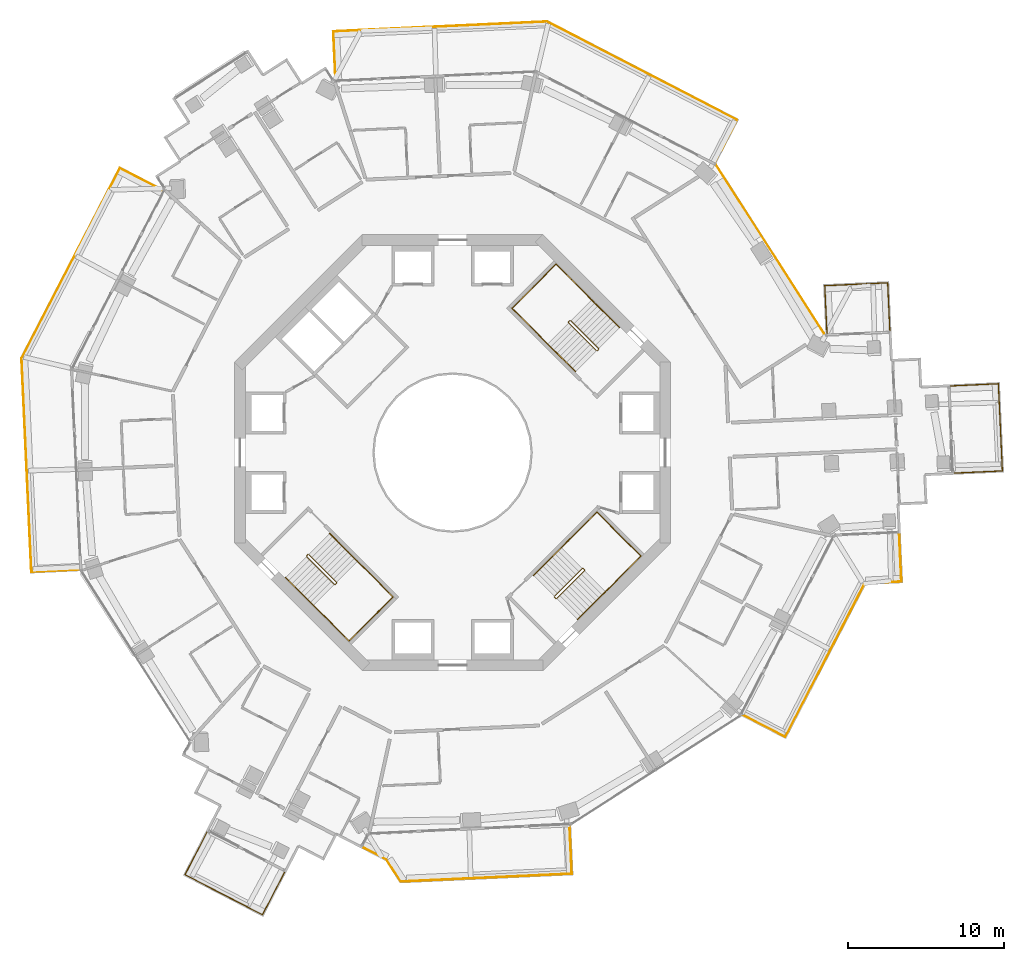
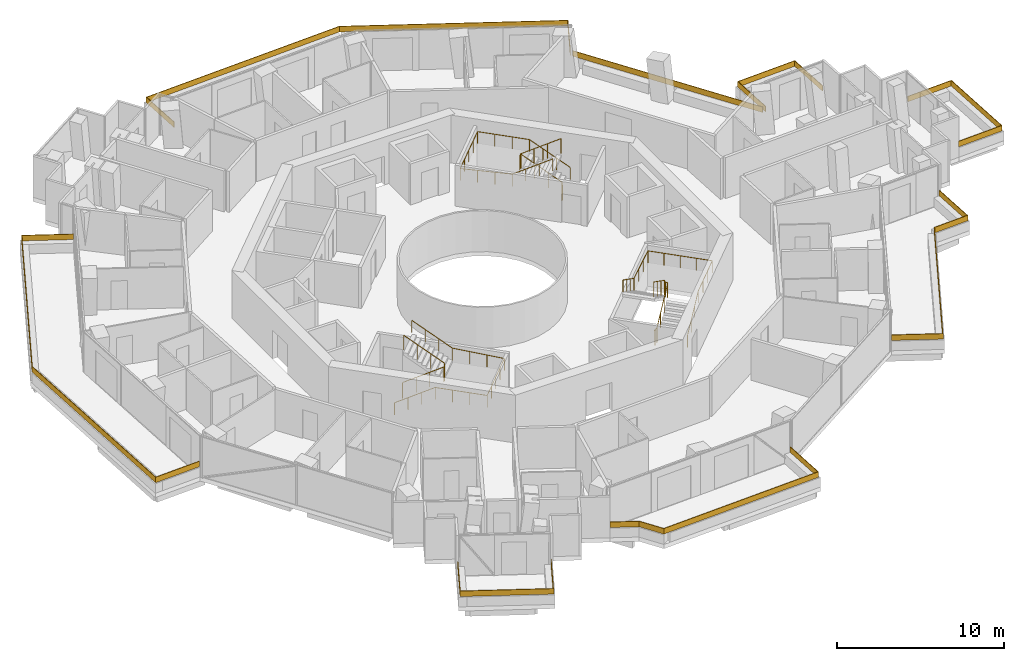
# One storey, part 22 of 22: 14 railings.
"""IFC4 building model written with IfcOpenShell, lengths in metres."""

from ifc_helpers import new_model, si_unit, direction, frame, origin, origin_2d, place, context, subcontext, project, spatial, polyline, rectangle, circle, outline, extrude, material, layer, layer_set, type_object, element, save


model = new_model("IFC4")

# Units and contexts
model_context = context("Model", 3, precision=1e-05, world=origin(), true_north=direction((0.0, 1.0)))
body_context = subcontext(model_context, "Body", "Model", "MODEL_VIEW")
ifc_project = project(units=[si_unit("LENGTHUNIT", "METRE"), si_unit("AREAUNIT", "SQUARE_METRE"), si_unit("VOLUMEUNIT", "CUBIC_METRE"), si_unit("PLANEANGLEUNIT", "RADIAN"), si_unit("MASSUNIT", "GRAM", prefix="KILO")], contexts=[model_context])

# Site, building, storey
site_placement = place(None, origin())
site = spatial("IfcSite", under=ifc_project, at=site_placement, CompositionType="ELEMENT")
building_placement = place(site_placement, origin())
building = spatial("IfcBuilding", under=site, at=building_placement, Name="Verdalira Terraces Hotel", CompositionType="ELEMENT")
storey_placement = place(building_placement, frame((0.0, 0.0, 165.5)))
storey = spatial("IfcBuildingStorey", under=building, at=storey_placement, Name="L40", CompositionType="ELEMENT", Elevation=165.5)

# Railings
ifc_material_1 = material(Name="Laminated glass", Category="glass")
ifc_layer = layer(ifc_material_1, 0.0400390625)
ifc_layer_set = layer_set([ifc_layer], Name="Balcony glass guard 400")
railing_type_1 = type_object("IfcRailingType", Name="Balcony glass guard 400", PredefinedType="GUARDRAIL", material=ifc_layer_set)
railing_1_placement = place(storey_placement, frame((0.0, 0.0, 0.699951)))
element("IfcRailing", 1, at=railing_1_placement, inside=storey, type_object=railing_type_1, Name="Balcony glass guard", PredefinedType="GUARDRAIL", context=body_context, shape_type="SweptSolid", body=[
    extrude(outline(polyline([(-21.348145, 18.230469), (-27.646729, 6.05835), (-27.015381, -7.632324), (-23.939697, -7.490723), (-23.937988, -7.530518), (-27.053467, -7.674316), (-27.687256, 6.067139), (-21.365234, 18.284424), (-18.594971, 16.85083), (-18.613525, 16.81543), (-21.348145, 18.230469)])), origin(), (0.0, 0.0, 1.0), 0.400146),
])
railing_2_placement = place(storey_placement, frame((0.0, 0.0, 0.699951)))
element("IfcRailing", 2, at=railing_2_placement, inside=storey, type_object=railing_type_1, Name="Balcony glass guard", PredefinedType="GUARDRAIL", context=body_context, shape_type="SweptSolid", body=[
    extrude(outline(polyline([(-17.147217, -27.087891), (-12.209229, -29.643311), (-10.794189, -26.908691), (-10.758545, -26.927002), (-12.192139, -29.697021), (-17.201172, -27.105225), (-15.767822, -24.334961), (-15.732178, -24.353271), (-17.147217, -27.087891)])), origin(), (0.0, 0.0, 1.0), 0.400146),
])
railing_3_placement = place(storey_placement, frame((0.0, 0.0, 0.699951)))
element("IfcRailing", 3, at=railing_3_placement, inside=storey, type_object=railing_type_1, Name="Balcony glass guard", PredefinedType="GUARDRAIL", context=body_context, shape_type="SweptSolid", body=[
    extrude(outline(polyline([(-4.213379, -26.124268), (-3.319092, -27.520508), (7.632324, -27.015381), (7.490723, -23.939697), (7.530518, -23.937988), (7.674316, -27.053467), (-3.340332, -27.561523), (-4.241211, -26.155029), (-5.797607, -25.349609), (-5.779297, -25.313965), (-4.213379, -26.124268)])), origin(), (0.0, 0.0, 1.0), 0.400146),
])
railing_4_placement = place(storey_placement, frame((0.0, 0.0, 0.699951)))
element("IfcRailing", 4, at=railing_4_placement, inside=storey, type_object=railing_type_1, Name="Balcony glass guard", PredefinedType="GUARDRAIL", context=body_context, shape_type="SweptSolid", body=[
    extrude(outline(polyline([(21.348145, -18.230469), (26.450195, -8.370605), (28.789795, -8.262695), (28.647949, -5.187012), (28.687988, -5.185059), (28.831787, -8.300781), (26.475098, -8.409424), (21.365234, -18.284424), (18.594971, -16.85083), (18.613525, -16.81543), (21.348145, -18.230469)])), origin(), (0.0, 0.0, 1.0), 0.400146),
])
railing_5_placement = place(storey_placement, frame((0.0, 0.0, 0.699951)))
element("IfcRailing", 5, at=railing_5_placement, inside=storey, type_object=railing_type_1, Name="Balcony glass guard", PredefinedType="GUARDRAIL", context=body_context, shape_type="SweptSolid", body=[
    extrude(outline(polyline([(35.269531, -1.156738), (35.013428, 4.397461), (31.937744, 4.255615), (31.935791, 4.295654), (35.051514, 4.439209), (35.311279, -1.194824), (32.195557, -1.338379), (32.193848, -1.298584), (35.269531, -1.156738)])), origin(), (0.0, 0.0, 1.0), 0.400146),
])
railing_6_placement = place(storey_placement, frame((0.0, 0.0, 0.699951)))
element("IfcRailing", 6, at=railing_6_placement, inside=storey, type_object=railing_type_1, Name="Balcony glass guard", PredefinedType="GUARDRAIL", context=body_context, shape_type="SweptSolid", body=[
    extrude(outline(polyline([(27.907471, 10.876953), (23.911133, 10.692627), (24.052979, 7.616943), (24.012939, 7.615234), (23.869385, 10.730713), (27.945557, 10.918701), (28.089111, 7.802979), (28.049072, 7.80127), (27.907471, 10.876953)])), origin(), (0.0, 0.0, 1.0), 0.400146),
])
railing_7_placement = place(storey_placement, frame((0.0, 0.0, 0.699951)))
element("IfcRailing", 7, at=railing_7_placement, inside=storey, type_object=railing_type_1, Name="Balcony glass guard", PredefinedType="GUARDRAIL", context=body_context, shape_type="SweptSolid", body=[
    extrude(outline(polyline([(18.230469, 21.348145), (6.05835, 27.646729), (-7.632324, 27.015381), (-7.490723, 23.939697), (-7.530518, 23.937988), (-7.674316, 27.053467), (6.067139, 27.687256), (18.284424, 21.365234), (16.85083, 18.594971), (16.81543, 18.613525), (18.230469, 21.348145)])), origin(), (0.0, 0.0, 1.0), 0.400146),
])
railing_8_placement = place(storey_placement, frame((20.385254, 13.056885, 0.699951), z_axis=(0.0, 0.0, 1.0), x_axis=(-0.539358796, 0.842076059, 0.0)))
element("IfcRailing", 8, at=railing_8_placement, inside=storey, type_object=railing_type_1, Name="Loggia glass guard", PredefinedType="GUARDRAIL", context=body_context, shape_type="SweptSolid", body=[
    extrude(rectangle(XDim=12.840088, YDim=0.040039, at=origin_2d()), origin(), (0.0, 0.0, 1.0), 0.399902),
])
ifc_material_2 = material(Name="Stainless steel", Category="steel")
railing_type_2 = type_object("IfcRailingType", Name="Stair guard 1100", PredefinedType="GUARDRAIL", material=ifc_material_2)
railing_9_placement = place(storey_placement, frame((9.369141, 6.611328, 0.0)))
element("IfcRailing", 9, at=railing_9_placement, inside=storey, type_object=railing_type_2, Name="L40 ST1 stair guard 1", PredefinedType="GUARDRAIL", context=body_context, shape_type="SweptSolid", body=[
    extrude(circle(Radius=0.023926, at=origin_2d()), frame((0.0, 0.0, 1.076172), z_axis=(-0.70832698, -0.705884473, 0.0), x_axis=(0.705884473, -0.70832698, 0.0)), (0.0, 0.0, 1.0), 0.099854),
    extrude(circle(Radius=0.023926, at=origin_2d()), frame((-0.070801, -0.070557, 1.076172), z_axis=(0.300162975, 0.599290904, 0.742127078), x_axis=(-0.894118129, 0.447831187, 0.0)), (0.0, 0.0, 1.0), 0.23584),
    extrude(circle(Radius=0.023926, at=origin_2d()), frame((0.0, 0.070801, 1.250977), z_axis=(-0.599637504, 0.599637504, 0.52997144), x_axis=(-0.707106781, -0.707106781, 0.0)), (0.0, 0.0, 1.0), 2.97168),
    extrude(circle(Radius=0.023926, at=origin_2d()), frame((-1.781982, 1.852783, 2.826172), z_axis=(-1.0, 0.0, 0.0), x_axis=(0.0, -1.0, 0.0)), (0.0, 0.0, 1.0), 0.070557),
    extrude(circle(Radius=0.023926, at=origin_2d()), frame((-1.852539, 1.852783, 2.826172), z_axis=(-0.707106781, -0.707106781, 0.0), x_axis=(0.707106781, -0.707106781, 0.0)), (0.0, 0.0, 1.0), 0.100098),
    extrude(circle(Radius=0.023926, at=origin_2d()), frame((-1.92334, 1.781982, 2.826172), z_axis=(0.0, -0.373842709, 0.927492118), x_axis=(1.0, 0.0, 0.0)), (0.0, 0.0, 1.0), 0.188721),
    extrude(circle(Radius=0.023926, at=origin_2d()), frame((-1.92334, 1.711426, 3.000977), z_axis=(0.599637504, -0.599637504, 0.52997144), x_axis=(0.707106781, 0.707106781, 0.0)), (0.0, 0.0, 1.0), 2.97168),
    extrude(circle(Radius=0.020996, at=origin_2d()), origin(), (0.0, 0.0, 1.0), 1.052002),
    extrude(circle(Radius=0.020996, at=origin_2d()), frame((-0.070801, -0.070557, 0.0)), (0.0, 0.0, 1.0), 1.052002),
    extrude(circle(Radius=0.020996, at=origin_2d()), frame((0.0, 0.070801, 0.175049)), (0.0, 0.0, 1.0), 1.052002),
    extrude(circle(Radius=0.020996, at=origin_2d()), frame((-0.593994, 0.664795, 0.699951)), (0.0, 0.0, 1.0), 1.052002),
    extrude(circle(Radius=0.020996, at=origin_2d()), frame((-1.187988, 1.258789, 1.225098)), (0.0, 0.0, 1.0), 1.052002),
    extrude(circle(Radius=0.020996, at=origin_2d()), frame((-1.781982, 1.852783, 1.75)), (0.0, 0.0, 1.0), 1.052002),
    extrude(circle(Radius=0.020996, at=origin_2d()), frame((-1.852539, 1.852783, 1.75)), (0.0, 0.0, 1.0), 1.052002),
    extrude(circle(Radius=0.020996, at=origin_2d()), frame((-1.92334, 1.781982, 1.75)), (0.0, 0.0, 1.0), 1.052002),
    extrude(circle(Radius=0.020996, at=origin_2d()), frame((-1.92334, 1.711426, 1.925049)), (0.0, 0.0, 1.0), 1.052002),
    extrude(circle(Radius=0.020996, at=origin_2d()), frame((-1.329346, 1.117432, 2.449951)), (0.0, 0.0, 1.0), 1.052002),
    extrude(circle(Radius=0.020996, at=origin_2d()), frame((-0.735352, 0.523438, 2.975098)), (0.0, 0.0, 1.0), 1.052002),
    extrude(circle(Radius=0.020996, at=origin_2d()), frame((-0.141357, -0.070557, 3.5)), (0.0, 0.0, 1.0), 1.052002),
])
railing_10_placement = place(storey_placement, frame((-9.369141, -6.611328, 0.0)))
element("IfcRailing", 10, at=railing_10_placement, inside=storey, type_object=railing_type_2, Name="L40 ST2 stair guard 1", PredefinedType="GUARDRAIL", context=body_context, shape_type="SweptSolid", body=[
    extrude(circle(Radius=0.023926, at=origin_2d()), frame((0.0, 0.0, 1.076172), z_axis=(0.70832698, 0.705884473, 0.0), x_axis=(-0.705884473, 0.70832698, 0.0)), (0.0, 0.0, 1.0), 0.099854),
    extrude(circle(Radius=0.023926, at=origin_2d()), frame((0.070801, 0.070557, 1.076172), z_axis=(-0.300162975, -0.599290904, 0.742127078), x_axis=(0.894118129, -0.447831187, 0.0)), (0.0, 0.0, 1.0), 0.23584),
    extrude(circle(Radius=0.023926, at=origin_2d()), frame((0.0, -0.070801, 1.250977), z_axis=(0.599637504, -0.599637504, 0.52997144), x_axis=(0.707106781, 0.707106781, 0.0)), (0.0, 0.0, 1.0), 2.97168),
    extrude(circle(Radius=0.023926, at=origin_2d()), frame((1.781982, -1.852783, 2.826172), z_axis=(1.0, 0.0, 0.0), x_axis=(0.0, 1.0, 0.0)), (0.0, 0.0, 1.0), 0.070557),
    extrude(circle(Radius=0.023926, at=origin_2d()), frame((1.852539, -1.852783, 2.826172), z_axis=(0.707106781, 0.707106781, 0.0), x_axis=(-0.707106781, 0.707106781, 0.0)), (0.0, 0.0, 1.0), 0.100098),
    extrude(circle(Radius=0.023926, at=origin_2d()), frame((1.92334, -1.781982, 2.826172), z_axis=(0.0, 0.373842709, 0.927492118), x_axis=(-1.0, 0.0, 0.0)), (0.0, 0.0, 1.0), 0.188721),
    extrude(circle(Radius=0.023926, at=origin_2d()), frame((1.92334, -1.711426, 3.000977), z_axis=(-0.599637504, 0.599637504, 0.52997144), x_axis=(-0.707106781, -0.707106781, 0.0)), (0.0, 0.0, 1.0), 2.97168),
    extrude(circle(Radius=0.020996, at=origin_2d()), origin(), (0.0, 0.0, 1.0), 1.052002),
    extrude(circle(Radius=0.020996, at=origin_2d()), frame((0.070801, 0.070557, 0.0)), (0.0, 0.0, 1.0), 1.052002),
    extrude(circle(Radius=0.020996, at=origin_2d()), frame((0.0, -0.070801, 0.175049)), (0.0, 0.0, 1.0), 1.052002),
    extrude(circle(Radius=0.020996, at=origin_2d()), frame((0.593994, -0.664795, 0.699951)), (0.0, 0.0, 1.0), 1.052002),
    extrude(circle(Radius=0.020996, at=origin_2d()), frame((1.187988, -1.258789, 1.225098)), (0.0, 0.0, 1.0), 1.052002),
    extrude(circle(Radius=0.020996, at=origin_2d()), frame((1.781982, -1.852783, 1.75)), (0.0, 0.0, 1.0), 1.052002),
    extrude(circle(Radius=0.020996, at=origin_2d()), frame((1.852539, -1.852783, 1.75)), (0.0, 0.0, 1.0), 1.052002),
    extrude(circle(Radius=0.020996, at=origin_2d()), frame((1.92334, -1.781982, 1.75)), (0.0, 0.0, 1.0), 1.052002),
    extrude(circle(Radius=0.020996, at=origin_2d()), frame((1.92334, -1.711426, 1.925049)), (0.0, 0.0, 1.0), 1.052002),
    extrude(circle(Radius=0.020996, at=origin_2d()), frame((1.329346, -1.117432, 2.449951)), (0.0, 0.0, 1.0), 1.052002),
    extrude(circle(Radius=0.020996, at=origin_2d()), frame((0.735352, -0.523438, 2.975098)), (0.0, 0.0, 1.0), 1.052002),
    extrude(circle(Radius=0.020996, at=origin_2d()), frame((0.141357, 0.070557, 3.5)), (0.0, 0.0, 1.0), 1.052002),
])
railing_11_placement = place(storey_placement, frame((6.611328, -9.369141, 0.0)))
element("IfcRailing", 11, at=railing_11_placement, inside=storey, type_object=railing_type_2, Name="L40 ST3 stair guard 1", PredefinedType="GUARDRAIL", context=body_context, shape_type="SweptSolid", body=[
    extrude(circle(Radius=0.023926, at=origin_2d()), frame((0.0, 0.0, 1.076172), z_axis=(-0.705884473, 0.70832698, 0.0), x_axis=(-0.70832698, -0.705884473, 0.0)), (0.0, 0.0, 1.0), 0.099854),
    extrude(circle(Radius=0.023926, at=origin_2d()), frame((-0.070557, 0.070801, 1.076172), z_axis=(0.599290904, -0.300162975, 0.742127078), x_axis=(0.447831187, 0.894118129, 0.0)), (0.0, 0.0, 1.0), 0.23584),
    extrude(circle(Radius=0.023926, at=origin_2d()), frame((0.070801, 0.0, 1.250977), z_axis=(0.599637504, 0.599637504, 0.52997144), x_axis=(-0.707106781, 0.707106781, 0.0)), (0.0, 0.0, 1.0), 2.97168),
    extrude(circle(Radius=0.023926, at=origin_2d()), frame((1.852783, 1.781982, 2.826172), z_axis=(0.0, 1.0, 0.0), x_axis=(-1.0, 0.0, 0.0)), (0.0, 0.0, 1.0), 0.070557),
    extrude(circle(Radius=0.023926, at=origin_2d()), frame((1.852783, 1.852539, 2.826172), z_axis=(-0.707106781, 0.707106781, 0.0), x_axis=(-0.707106781, -0.707106781, 0.0)), (0.0, 0.0, 1.0), 0.100098),
    extrude(circle(Radius=0.023926, at=origin_2d()), frame((1.781982, 1.92334, 2.826172), z_axis=(-0.373842709, 0.0, 0.927492118), x_axis=(0.0, -1.0, 0.0)), (0.0, 0.0, 1.0), 0.188721),
    extrude(circle(Radius=0.023926, at=origin_2d()), frame((1.711426, 1.92334, 3.000977), z_axis=(-0.599637504, -0.599637504, 0.52997144), x_axis=(0.707106781, -0.707106781, 0.0)), (0.0, 0.0, 1.0), 2.97168),
    extrude(circle(Radius=0.020996, at=origin_2d()), origin(), (0.0, 0.0, 1.0), 1.052002),
    extrude(circle(Radius=0.020996, at=origin_2d()), frame((-0.070557, 0.070801, 0.0)), (0.0, 0.0, 1.0), 1.052002),
    extrude(circle(Radius=0.020996, at=origin_2d()), frame((0.070801, 0.0, 0.175049)), (0.0, 0.0, 1.0), 1.052002),
    extrude(circle(Radius=0.020996, at=origin_2d()), frame((0.664795, 0.593994, 0.699951)), (0.0, 0.0, 1.0), 1.052002),
    extrude(circle(Radius=0.020996, at=origin_2d()), frame((1.258789, 1.187988, 1.225098)), (0.0, 0.0, 1.0), 1.052002),
    extrude(circle(Radius=0.020996, at=origin_2d()), frame((1.852783, 1.781982, 1.75)), (0.0, 0.0, 1.0), 1.052002),
    extrude(circle(Radius=0.020996, at=origin_2d()), frame((1.852783, 1.852539, 1.75)), (0.0, 0.0, 1.0), 1.052002),
    extrude(circle(Radius=0.020996, at=origin_2d()), frame((1.781982, 1.92334, 1.75)), (0.0, 0.0, 1.0), 1.052002),
    extrude(circle(Radius=0.020996, at=origin_2d()), frame((1.711426, 1.92334, 1.925049)), (0.0, 0.0, 1.0), 1.052002),
    extrude(circle(Radius=0.020996, at=origin_2d()), frame((1.117432, 1.329346, 2.449951)), (0.0, 0.0, 1.0), 1.052002),
    extrude(circle(Radius=0.020996, at=origin_2d()), frame((0.523438, 0.735352, 2.975098)), (0.0, 0.0, 1.0), 1.052002),
    extrude(circle(Radius=0.020996, at=origin_2d()), frame((-0.070557, 0.141357, 3.5)), (0.0, 0.0, 1.0), 1.052002),
])
ifc_material_3 = material(Name="Stainless steel", Category="steel")
railing_type_3 = type_object("IfcRailingType", Name="Stair handrail 900", PredefinedType="HANDRAIL", material=ifc_material_3)
railing_12_placement = place(storey_placement, frame((10.712646, 8.025635, 0.175049)))
element("IfcRailing", 12, at=railing_12_placement, inside=storey, type_object=railing_type_3, Name="L40 ST1 stair handrail 1", PredefinedType="HANDRAIL", context=body_context, shape_type="SweptSolid", body=[
    extrude(circle(Radius=0.023926, at=origin_2d()), frame((0.0, 0.0, 0.875977), z_axis=(-0.599637504, 0.599637504, 0.52997144), x_axis=(-0.707106781, -0.707106781, 0.0)), (0.0, 0.0, 1.0), 2.97168),
    extrude(circle(Radius=0.023926, at=origin_2d()), frame((-1.781982, 1.781982, 2.450684), z_axis=(-0.707106781, 0.707106781, 0.0), x_axis=(-0.707106781, -0.707106781, 0.0)), (0.0, 0.0, 1.0), 3.22998),
    extrude(circle(Radius=0.023926, at=origin_2d()), frame((-4.065918, 4.065918, 2.450684), z_axis=(-0.707106781, -0.707106781, 0.0), x_axis=(0.707106781, -0.707106781, 0.0)), (0.0, 0.0, 1.0), 4.0),
    extrude(circle(Radius=0.023926, at=origin_2d()), frame((-6.894287, 1.237549, 2.450684), z_axis=(0.706070637, -0.706070637, 0.054115729), x_axis=(0.707106781, 0.707106781, 0.0)), (0.0, 0.0, 1.0), 3.234619),
    extrude(circle(Radius=0.023926, at=origin_2d()), frame((-4.610352, -1.046387, 2.625977), z_axis=(0.599637504, -0.599637504, 0.52997144), x_axis=(0.707106781, 0.707106781, 0.0)), (0.0, 0.0, 1.0), 2.97168),
    extrude(circle(Radius=0.020996, at=origin_2d()), origin(), (0.0, 0.0, 1.0), 0.851807),
    extrude(circle(Radius=0.020996, at=origin_2d()), frame((-0.593994, 0.593994, 0.524902)), (0.0, 0.0, 1.0), 0.851807),
    extrude(circle(Radius=0.020996, at=origin_2d()), frame((-1.187988, 1.187988, 1.050049)), (0.0, 0.0, 1.0), 0.851807),
    extrude(circle(Radius=0.020996, at=origin_2d()), frame((-1.781982, 1.781982, 1.574951)), (0.0, 0.0, 1.0), 0.851807),
    extrude(circle(Radius=0.020996, at=origin_2d()), frame((-2.543213, 2.543213, 1.574951)), (0.0, 0.0, 1.0), 0.851807),
    extrude(circle(Radius=0.020996, at=origin_2d()), frame((-3.304688, 3.304688, 1.574951)), (0.0, 0.0, 1.0), 0.851807),
    extrude(circle(Radius=0.020996, at=origin_2d()), frame((-4.065918, 4.065918, 1.574951)), (0.0, 0.0, 1.0), 0.851807),
    extrude(circle(Radius=0.020996, at=origin_2d()), frame((-4.772949, 3.358887, 1.574951)), (0.0, 0.0, 1.0), 0.851807),
    extrude(circle(Radius=0.020996, at=origin_2d()), frame((-5.47998, 2.651855, 1.574951)), (0.0, 0.0, 1.0), 0.851807),
    extrude(circle(Radius=0.020996, at=origin_2d()), frame((-6.187256, 1.94458, 1.574951)), (0.0, 0.0, 1.0), 0.851807),
    extrude(circle(Radius=0.020996, at=origin_2d()), frame((-6.894287, 1.237549, 1.574951)), (0.0, 0.0, 1.0), 0.851807),
    extrude(circle(Radius=0.020996, at=origin_2d()), frame((-6.133057, 0.476318, 1.633301)), (0.0, 0.0, 1.0), 0.851807),
    extrude(circle(Radius=0.020996, at=origin_2d()), frame((-5.371582, -0.285156, 1.69165)), (0.0, 0.0, 1.0), 0.851807),
    extrude(circle(Radius=0.020996, at=origin_2d()), frame((-4.610352, -1.046387, 1.75)), (0.0, 0.0, 1.0), 0.851807),
    extrude(circle(Radius=0.020996, at=origin_2d()), frame((-4.016357, -1.640381, 2.274902)), (0.0, 0.0, 1.0), 0.851807),
    extrude(circle(Radius=0.020996, at=origin_2d()), frame((-3.422363, -2.234375, 2.800049)), (0.0, 0.0, 1.0), 0.851807),
    extrude(circle(Radius=0.020996, at=origin_2d()), frame((-2.828369, -2.828369, 3.324951)), (0.0, 0.0, 1.0), 0.851807),
])
railing_13_placement = place(storey_placement, frame((-10.712646, -8.025635, 0.175049)))
element("IfcRailing", 13, at=railing_13_placement, inside=storey, type_object=railing_type_3, Name="L40 ST2 stair handrail 1", PredefinedType="HANDRAIL", context=body_context, shape_type="SweptSolid", body=[
    extrude(circle(Radius=0.023926, at=origin_2d()), frame((0.0, 0.0, 0.875977), z_axis=(0.599637504, -0.599637504, 0.52997144), x_axis=(0.707106781, 0.707106781, 0.0)), (0.0, 0.0, 1.0), 2.97168),
    extrude(circle(Radius=0.023926, at=origin_2d()), frame((1.781982, -1.781982, 2.450684), z_axis=(0.707106781, -0.707106781, 0.0), x_axis=(0.707106781, 0.707106781, 0.0)), (0.0, 0.0, 1.0), 3.22998),
    extrude(circle(Radius=0.023926, at=origin_2d()), frame((4.065918, -4.065918, 2.450684), z_axis=(0.707106781, 0.707106781, 0.0), x_axis=(-0.707106781, 0.707106781, 0.0)), (0.0, 0.0, 1.0), 4.0),
    extrude(circle(Radius=0.023926, at=origin_2d()), frame((6.894287, -1.237549, 2.450684), z_axis=(-0.706070637, 0.706070637, 0.054115729), x_axis=(-0.707106781, -0.707106781, 0.0)), (0.0, 0.0, 1.0), 3.234619),
    extrude(circle(Radius=0.023926, at=origin_2d()), frame((4.610352, 1.046387, 2.625977), z_axis=(-0.599637504, 0.599637504, 0.52997144), x_axis=(-0.707106781, -0.707106781, 0.0)), (0.0, 0.0, 1.0), 2.97168),
    extrude(circle(Radius=0.020996, at=origin_2d()), origin(), (0.0, 0.0, 1.0), 0.851807),
    extrude(circle(Radius=0.020996, at=origin_2d()), frame((0.593994, -0.593994, 0.524902)), (0.0, 0.0, 1.0), 0.851807),
    extrude(circle(Radius=0.020996, at=origin_2d()), frame((1.187988, -1.187988, 1.050049)), (0.0, 0.0, 1.0), 0.851807),
    extrude(circle(Radius=0.020996, at=origin_2d()), frame((1.781982, -1.781982, 1.574951)), (0.0, 0.0, 1.0), 0.851807),
    extrude(circle(Radius=0.020996, at=origin_2d()), frame((2.543213, -2.543213, 1.574951)), (0.0, 0.0, 1.0), 0.851807),
    extrude(circle(Radius=0.020996, at=origin_2d()), frame((3.304688, -3.304688, 1.574951)), (0.0, 0.0, 1.0), 0.851807),
    extrude(circle(Radius=0.020996, at=origin_2d()), frame((4.065918, -4.065918, 1.574951)), (0.0, 0.0, 1.0), 0.851807),
    extrude(circle(Radius=0.020996, at=origin_2d()), frame((4.772949, -3.358887, 1.574951)), (0.0, 0.0, 1.0), 0.851807),
    extrude(circle(Radius=0.020996, at=origin_2d()), frame((5.47998, -2.651855, 1.574951)), (0.0, 0.0, 1.0), 0.851807),
    extrude(circle(Radius=0.020996, at=origin_2d()), frame((6.187256, -1.94458, 1.574951)), (0.0, 0.0, 1.0), 0.851807),
    extrude(circle(Radius=0.020996, at=origin_2d()), frame((6.894287, -1.237549, 1.574951)), (0.0, 0.0, 1.0), 0.851807),
    extrude(circle(Radius=0.020996, at=origin_2d()), frame((6.133057, -0.476318, 1.633301)), (0.0, 0.0, 1.0), 0.851807),
    extrude(circle(Radius=0.020996, at=origin_2d()), frame((5.371582, 0.285156, 1.69165)), (0.0, 0.0, 1.0), 0.851807),
    extrude(circle(Radius=0.020996, at=origin_2d()), frame((4.610352, 1.046387, 1.75)), (0.0, 0.0, 1.0), 0.851807),
    extrude(circle(Radius=0.020996, at=origin_2d()), frame((4.016357, 1.640381, 2.274902)), (0.0, 0.0, 1.0), 0.851807),
    extrude(circle(Radius=0.020996, at=origin_2d()), frame((3.422363, 2.234375, 2.800049)), (0.0, 0.0, 1.0), 0.851807),
    extrude(circle(Radius=0.020996, at=origin_2d()), frame((2.828369, 2.828369, 3.324951)), (0.0, 0.0, 1.0), 0.851807),
])
railing_14_placement = place(storey_placement, frame((8.025635, -10.712646, 0.175049)))
element("IfcRailing", 14, at=railing_14_placement, inside=storey, type_object=railing_type_3, Name="L40 ST3 stair handrail 1", PredefinedType="HANDRAIL", context=body_context, shape_type="SweptSolid", body=[
    extrude(circle(Radius=0.023926, at=origin_2d()), frame((0.0, 0.0, 0.875977), z_axis=(0.599637504, 0.599637504, 0.52997144), x_axis=(-0.707106781, 0.707106781, 0.0)), (0.0, 0.0, 1.0), 2.97168),
    extrude(circle(Radius=0.023926, at=origin_2d()), frame((1.781982, 1.781982, 2.450684), z_axis=(0.707106781, 0.707106781, 0.0), x_axis=(-0.707106781, 0.707106781, 0.0)), (0.0, 0.0, 1.0), 3.22998),
    extrude(circle(Radius=0.023926, at=origin_2d()), frame((4.065918, 4.065918, 2.450684), z_axis=(-0.707106781, 0.707106781, 0.0), x_axis=(-0.707106781, -0.707106781, 0.0)), (0.0, 0.0, 1.0), 4.0),
    extrude(circle(Radius=0.023926, at=origin_2d()), frame((1.237549, 6.894287, 2.450684), z_axis=(-0.706070637, -0.706070637, 0.054115729), x_axis=(0.707106781, -0.707106781, 0.0)), (0.0, 0.0, 1.0), 3.234619),
    extrude(circle(Radius=0.023926, at=origin_2d()), frame((-1.046387, 4.610352, 2.625977), z_axis=(-0.599637504, -0.599637504, 0.52997144), x_axis=(0.707106781, -0.707106781, 0.0)), (0.0, 0.0, 1.0), 2.97168),
    extrude(circle(Radius=0.020996, at=origin_2d()), origin(), (0.0, 0.0, 1.0), 0.851807),
    extrude(circle(Radius=0.020996, at=origin_2d()), frame((0.593994, 0.593994, 0.524902)), (0.0, 0.0, 1.0), 0.851807),
    extrude(circle(Radius=0.020996, at=origin_2d()), frame((1.187988, 1.187988, 1.050049)), (0.0, 0.0, 1.0), 0.851807),
    extrude(circle(Radius=0.020996, at=origin_2d()), frame((1.781982, 1.781982, 1.574951)), (0.0, 0.0, 1.0), 0.851807),
    extrude(circle(Radius=0.020996, at=origin_2d()), frame((2.543213, 2.543213, 1.574951)), (0.0, 0.0, 1.0), 0.851807),
    extrude(circle(Radius=0.020996, at=origin_2d()), frame((3.304688, 3.304688, 1.574951)), (0.0, 0.0, 1.0), 0.851807),
    extrude(circle(Radius=0.020996, at=origin_2d()), frame((4.065918, 4.065918, 1.574951)), (0.0, 0.0, 1.0), 0.851807),
    extrude(circle(Radius=0.020996, at=origin_2d()), frame((3.358887, 4.772949, 1.574951)), (0.0, 0.0, 1.0), 0.851807),
    extrude(circle(Radius=0.020996, at=origin_2d()), frame((2.651855, 5.47998, 1.574951)), (0.0, 0.0, 1.0), 0.851807),
    extrude(circle(Radius=0.020996, at=origin_2d()), frame((1.94458, 6.187256, 1.574951)), (0.0, 0.0, 1.0), 0.851807),
    extrude(circle(Radius=0.020996, at=origin_2d()), frame((1.237549, 6.894287, 1.574951)), (0.0, 0.0, 1.0), 0.851807),
    extrude(circle(Radius=0.020996, at=origin_2d()), frame((0.476318, 6.133057, 1.633301)), (0.0, 0.0, 1.0), 0.851807),
    extrude(circle(Radius=0.020996, at=origin_2d()), frame((-0.285156, 5.371582, 1.69165)), (0.0, 0.0, 1.0), 0.851807),
    extrude(circle(Radius=0.020996, at=origin_2d()), frame((-1.046387, 4.610352, 1.75)), (0.0, 0.0, 1.0), 0.851807),
    extrude(circle(Radius=0.020996, at=origin_2d()), frame((-1.640381, 4.016357, 2.274902)), (0.0, 0.0, 1.0), 0.851807),
    extrude(circle(Radius=0.020996, at=origin_2d()), frame((-2.234375, 3.422363, 2.800049)), (0.0, 0.0, 1.0), 0.851807),
    extrude(circle(Radius=0.020996, at=origin_2d()), frame((-2.828369, 2.828369, 3.324951)), (0.0, 0.0, 1.0), 0.851807),
])

save(model, "model.ifc")
